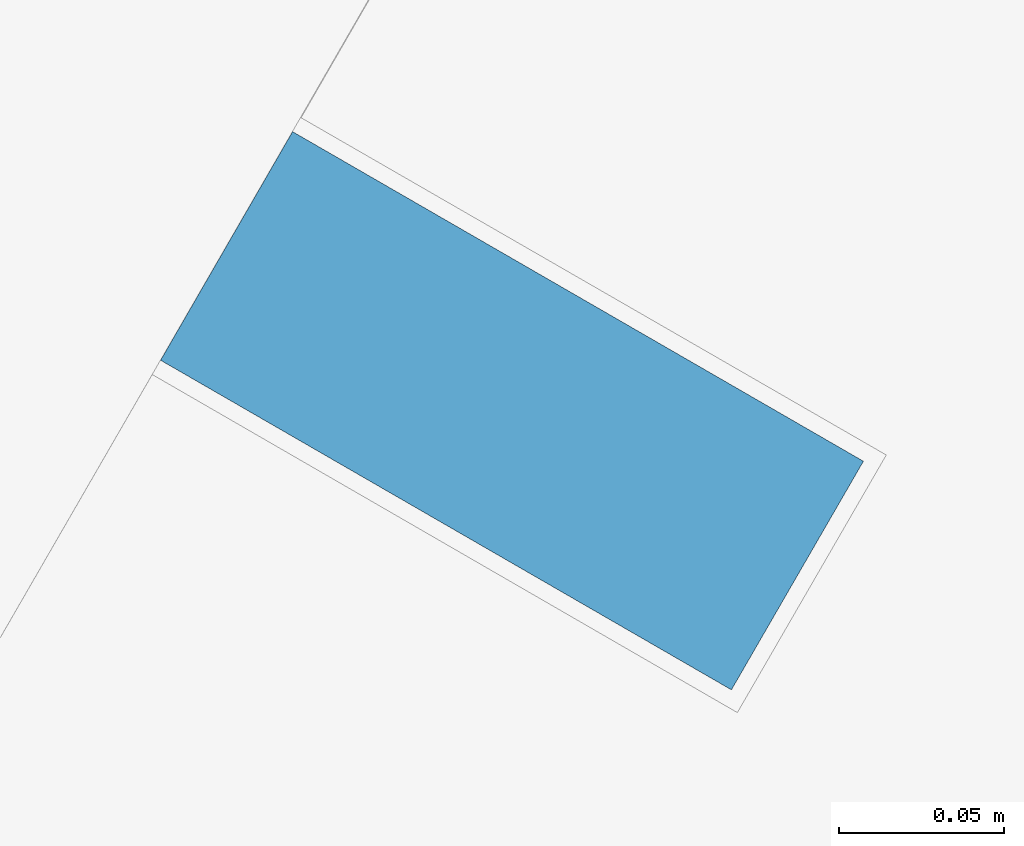
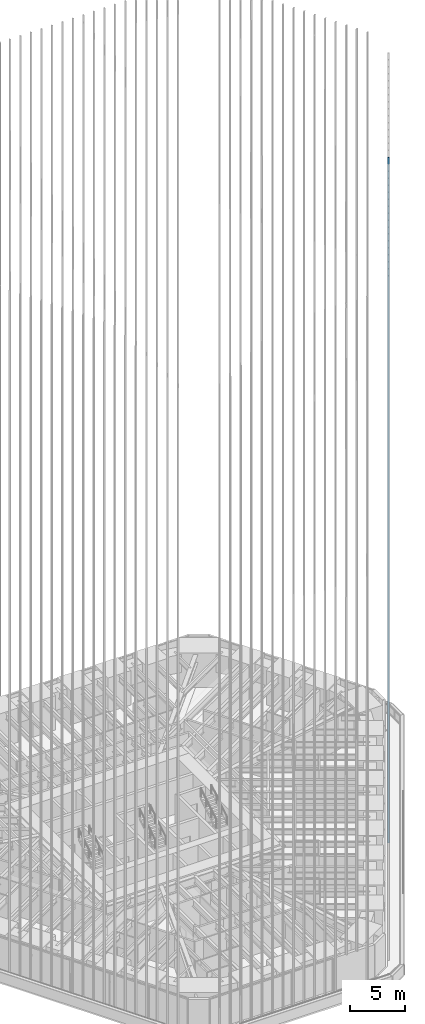
# One storey, part 97 of 238: 1 member, 1 element without a shape of its own.
"""IFC4 building model written with IfcOpenShell, lengths in metres."""

from ifc_helpers import new_model, si_unit, direction, frame, origin, origin_2d, place, context, subcontext, project, spatial, rectangle, extrude, material, material_profile, profile_set, type_object, element, aggregate, save


model = new_model("IFC4")

# Units and contexts
model_context = context("Model", 3, precision=1e-05, world=origin(), true_north=direction((0.0, 1.0)))
body_context = subcontext(model_context, "Body", "Model", "MODEL_VIEW")
ifc_project = project(units=[si_unit("LENGTHUNIT", "METRE"), si_unit("AREAUNIT", "SQUARE_METRE"), si_unit("VOLUMEUNIT", "CUBIC_METRE"), si_unit("PLANEANGLEUNIT", "RADIAN"), si_unit("MASSUNIT", "GRAM", prefix="KILO")], contexts=[model_context])

# Site, building, storey
site_placement = place(None, origin())
site = spatial("IfcSite", under=ifc_project, at=site_placement, CompositionType="ELEMENT")
building_placement = place(site_placement, origin())
building = spatial("IfcBuilding", under=site, at=building_placement, Name="Sandreach Pilgrim Tower", CompositionType="ELEMENT")
storey_placement = place(building_placement, frame((0.0, 0.0, 96.800048828125)))
storey = spatial("IfcBuildingStorey", under=building, at=storey_placement, Name="L23", CompositionType="ELEMENT", Elevation=96.800048828125)

# Curtain wall, member
ifc_material_1 = material(Name="Aluminium framed curtain wall", Category="aluminium")
curtain_wall_type = type_object("IfcCurtainWallType", Name="Hotel tower curtain wall", PredefinedType="NOTDEFINED", material=ifc_material_1)
curtain_wall_placement = place(storey_placement, origin())
curtain_wall = element("IfcCurtainWall", 1, at=curtain_wall_placement, inside=storey, type_object=curtain_wall_type, Name="CW-2 L23 SE", PredefinedType="NOTDEFINED")
ifc_material_2 = material(Name="Extruded terracotta on aluminium core", Category="masonry")
ifc_material_profile = material_profile(ifc_material_2, rectangle(XDim=0.080078125, YDim=0.199951171875, at=origin_2d()), Name="TBE 80X200")
ifc_profile_set = profile_set([ifc_material_profile], Name="Extruded terracotta on aluminium core")
member_type = type_object("IfcMemberType", Name="Terracotta baguette east", PredefinedType="USERDEFINED", material=ifc_profile_set)
member_placement = place(storey_placement, frame((20.376953125, -10.49365234375, 0.0), z_axis=(0.0, 0.0, 1.0), x_axis=(-0.5, -0.866025403784, 0.0)))
member = element("IfcMember", 2, at=member_placement, type_object=member_type, Name="Baguette Z2 SE16", ObjectType="BAGUETTE", PredefinedType="USERDEFINED", context=body_context, shape_type="SweptSolid", body=[
    extrude(rectangle(XDim=0.080078125, YDim=0.199951171875, at=origin_2d()), origin(), (0.0, 0.0, 1.0), 75.83984375),
])
aggregate(curtain_wall, [member])

save(model, "model.ifc")
